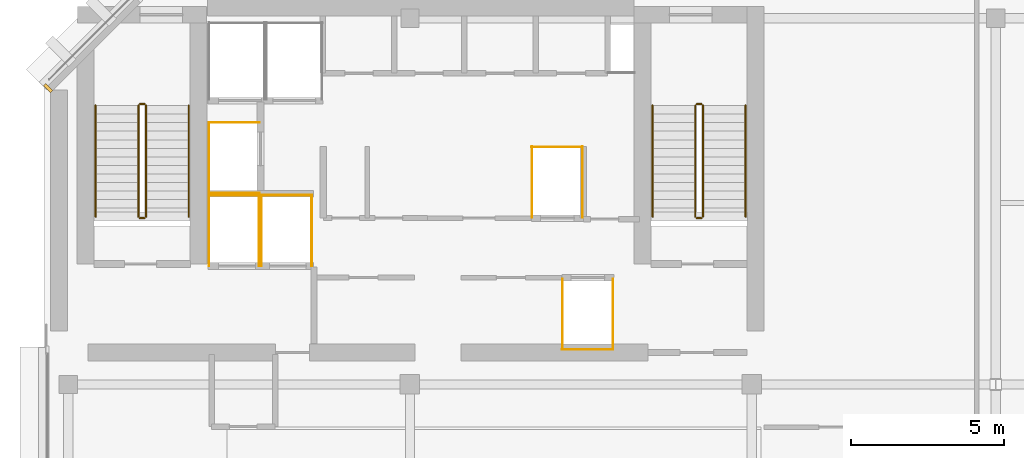
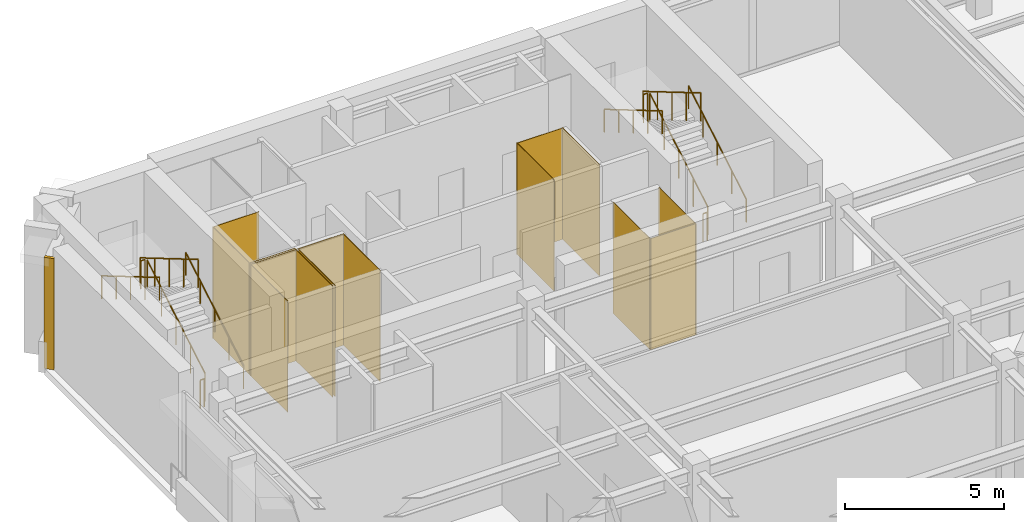
# One storey, part 8 of 9: 16 coverings, 12 railings.
"""IFC4 building model written with IfcOpenShell, lengths in metres."""

from ifc_helpers import new_model, si_unit, direction, frame, origin, origin_2d, place, context, subcontext, project, spatial, polyline, rectangle, circle, outline, extrude, material, layer, layer_set, type_object, element, save


model = new_model("IFC4")

# Units and contexts
model_context = context("Model", 3, precision=1e-05, world=origin(), true_north=direction((0.0, 1.0)))
body_context = subcontext(model_context, "Body", "Model", "MODEL_VIEW")
ifc_project = project(units=[si_unit("LENGTHUNIT", "METRE"), si_unit("AREAUNIT", "SQUARE_METRE"), si_unit("VOLUMEUNIT", "CUBIC_METRE"), si_unit("PLANEANGLEUNIT", "RADIAN"), si_unit("MASSUNIT", "GRAM", prefix="KILO")], contexts=[model_context])

# Site, building, storey
site_placement = place(None, origin())
site = spatial("IfcSite", under=ifc_project, at=site_placement, CompositionType="ELEMENT")
building_placement = place(site_placement, origin())
building = spatial("IfcBuilding", under=site, at=building_placement, Name="Kefirva Bronze Tower", CompositionType="ELEMENT")
storey_placement = place(building_placement, frame((0.0, 0.0, 361.35009765625)))
storey = spatial("IfcBuildingStorey", under=building, at=storey_placement, Name="L88", CompositionType="ELEMENT", Elevation=361.35009765625)

# Coverings
ifc_material_1 = material(Name="Bronze anodised aluminium", Category="aluminium")
ifc_layer = layer(ifc_material_1, 0.02001953125, Name="Bronze anodised aluminium")
ifc_layer_set = layer_set([ifc_layer], Name="Bronze anodised aluminium")
covering_type = type_object("IfcCoveringType", Name="Anodised Bronze Spandrel Cladding 20mm", PredefinedType="CLADDING", material=ifc_layer_set)
covering_1_placement = place(storey_placement, frame((0.137939453125, 42.91162109375, 0.0), z_axis=(0.0, 0.0, 1.0), x_axis=(-0.707106781187, -0.707106781187, 0.0)))
element("IfcCovering", 1, at=covering_1_placement, inside=storey, type_object=covering_type, Name="L88 Facade Joint Closure Panel 6E", PredefinedType="CLADDING", context=body_context, shape_type="SweptSolid", body=[
    extrude(rectangle(XDim=0.10009765625, YDim=0.320068359375, at=origin_2d()), origin(), (0.0, 0.0, 1.0), 4.27001953125),
])
covering_2_placement = place(storey_placement, origin())
element("IfcCovering", 2, at=covering_2_placement, inside=storey, type_object=covering_type, Name="L88 Lift FF1 Hoistway Liner N", PredefinedType="CLADDING", context=body_context, shape_type="SweptSolid", body=[
    extrude(outline(polyline([(5.39990234375, 39.389892578125), (7.080078125, 39.389892578125), (7.080078125, 39.409912109375), (5.39990234375, 39.409912109375), (5.39990234375, 39.389892578125)])), origin(), (0.0, 0.0, 1.0), 4.27001953125),
])
covering_3_placement = place(storey_placement, origin())
element("IfcCovering", 3, at=covering_3_placement, inside=storey, type_object=covering_type, Name="L88 Lift FF1 Hoistway Liner W", PredefinedType="CLADDING", context=body_context, shape_type="SweptSolid", body=[
    extrude(outline(polyline([(5.409912109375, 37.080078125), (5.429931640625, 37.080078125), (5.429931640625, 39.419921875), (5.409912109375, 39.419921875), (5.409912109375, 37.080078125)])), origin(), (0.0, 0.0, 1.0), 4.27001953125),
])
covering_4_placement = place(storey_placement, origin())
element("IfcCovering", 4, at=covering_4_placement, inside=storey, type_object=covering_type, Name="L88 Lift FF1 Hoistway Liner E", PredefinedType="CLADDING", context=body_context, shape_type="SweptSolid", body=[
    extrude(outline(polyline([(7.050048828125, 37.080078125), (7.070068359375, 37.080078125), (7.070068359375, 39.419921875), (7.050048828125, 39.419921875), (7.050048828125, 37.080078125)])), origin(), (0.0, 0.0, 1.0), 4.27001953125),
])
covering_5_placement = place(storey_placement, origin())
element("IfcCovering", 5, at=covering_5_placement, inside=storey, type_object=covering_type, Name="L88 Lift FF2 Hoistway Liner N", PredefinedType="CLADDING", context=body_context, shape_type="SweptSolid", body=[
    extrude(outline(polyline([(7.1201171875, 39.389892578125), (8.800048828125, 39.389892578125), (8.800048828125, 39.409912109375), (7.1201171875, 39.409912109375), (7.1201171875, 39.389892578125)])), origin(), (0.0, 0.0, 1.0), 4.27001953125),
])
covering_6_placement = place(storey_placement, origin())
element("IfcCovering", 6, at=covering_6_placement, inside=storey, type_object=covering_type, Name="L88 Lift FF2 Hoistway Liner W", PredefinedType="CLADDING", context=body_context, shape_type="SweptSolid", body=[
    extrude(outline(polyline([(7.1298828125, 37.080078125), (7.14990234375, 37.080078125), (7.14990234375, 39.419921875), (7.1298828125, 39.419921875), (7.1298828125, 37.080078125)])), origin(), (0.0, 0.0, 1.0), 4.27001953125),
])
covering_7_placement = place(storey_placement, origin())
element("IfcCovering", 7, at=covering_7_placement, inside=storey, type_object=covering_type, Name="L88 Lift FF2 Hoistway Liner E", PredefinedType="CLADDING", context=body_context, shape_type="SweptSolid", body=[
    extrude(outline(polyline([(8.77001953125, 37.080078125), (8.7900390625, 37.080078125), (8.7900390625, 39.419921875), (8.77001953125, 39.419921875), (8.77001953125, 37.080078125)])), origin(), (0.0, 0.0, 1.0), 4.27001953125),
])
covering_8_placement = place(storey_placement, origin())
element("IfcCovering", 8, at=covering_8_placement, inside=storey, type_object=covering_type, Name="L88 Lift HP1 Hoistway Liner S", PredefinedType="CLADDING", context=body_context, shape_type="SweptSolid", body=[
    extrude(outline(polyline([(16.97998046875, 34.340087890625), (18.669921875, 34.340087890625), (18.669921875, 34.360107421875), (16.97998046875, 34.360107421875), (16.97998046875, 34.340087890625)])), origin(), (0.0, 0.0, 1.0), 4.27001953125),
])
covering_9_placement = place(storey_placement, origin())
element("IfcCovering", 9, at=covering_9_placement, inside=storey, type_object=covering_type, Name="L88 Lift HP1 Hoistway Liner W", PredefinedType="CLADDING", context=body_context, shape_type="SweptSolid", body=[
    extrude(outline(polyline([(16.989990234375, 34.330078125), (17.010009765625, 34.330078125), (17.010009765625, 36.669921875), (16.989990234375, 36.669921875), (16.989990234375, 34.330078125)])), origin(), (0.0, 0.0, 1.0), 4.27001953125),
])
covering_10_placement = place(storey_placement, origin())
element("IfcCovering", 10, at=covering_10_placement, inside=storey, type_object=covering_type, Name="L88 Lift HP1 Hoistway Liner E", PredefinedType="CLADDING", context=body_context, shape_type="SweptSolid", body=[
    extrude(outline(polyline([(18.639892578125, 34.330078125), (18.659912109375, 34.330078125), (18.659912109375, 36.669921875), (18.639892578125, 36.669921875), (18.639892578125, 34.330078125)])), origin(), (0.0, 0.0, 1.0), 4.27001953125),
])
covering_11_placement = place(storey_placement, origin())
element("IfcCovering", 11, at=covering_11_placement, inside=storey, type_object=covering_type, Name="L88 Lift HP2 Hoistway Liner N", PredefinedType="CLADDING", context=body_context, shape_type="SweptSolid", body=[
    extrude(outline(polyline([(15.97998046875, 40.969970703125), (17.669921875, 40.969970703125), (17.669921875, 40.989990234375), (15.97998046875, 40.989990234375), (15.97998046875, 40.969970703125)])), origin(), (0.0, 0.0, 1.0), 4.27001953125),
])
covering_12_placement = place(storey_placement, origin())
element("IfcCovering", 12, at=covering_12_placement, inside=storey, type_object=covering_type, Name="L88 Lift HP2 Hoistway Liner W", PredefinedType="CLADDING", context=body_context, shape_type="SweptSolid", body=[
    extrude(outline(polyline([(15.989990234375, 38.659912109375), (16.010009765625, 38.659912109375), (16.010009765625, 41.0), (15.989990234375, 41.0), (15.989990234375, 38.659912109375)])), origin(), (0.0, 0.0, 1.0), 4.27001953125),
])
covering_13_placement = place(storey_placement, origin())
element("IfcCovering", 13, at=covering_13_placement, inside=storey, type_object=covering_type, Name="L88 Lift HP2 Hoistway Liner E", PredefinedType="CLADDING", context=body_context, shape_type="SweptSolid", body=[
    extrude(outline(polyline([(17.639892578125, 38.659912109375), (17.659912109375, 38.659912109375), (17.659912109375, 41.0), (17.639892578125, 41.0), (17.639892578125, 38.659912109375)])), origin(), (0.0, 0.0, 1.0), 4.27001953125),
])
covering_14_placement = place(storey_placement, origin())
element("IfcCovering", 14, at=covering_14_placement, inside=storey, type_object=covering_type, Name="L88 Lift HP3 Hoistway Liner N", PredefinedType="CLADDING", context=body_context, shape_type="SweptSolid", body=[
    extrude(outline(polyline([(5.39990234375, 41.77001953125), (7.080078125, 41.77001953125), (7.080078125, 41.7900390625), (5.39990234375, 41.7900390625), (5.39990234375, 41.77001953125)])), origin(), (0.0, 0.0, 1.0), 4.27001953125),
])
covering_15_placement = place(storey_placement, origin())
element("IfcCovering", 15, at=covering_15_placement, inside=storey, type_object=covering_type, Name="L88 Lift HP3 Hoistway Liner S", PredefinedType="CLADDING", context=body_context, shape_type="SweptSolid", body=[
    extrude(outline(polyline([(5.39990234375, 39.469970703125), (7.080078125, 39.469970703125), (7.080078125, 39.489990234375), (5.39990234375, 39.489990234375), (5.39990234375, 39.469970703125)])), origin(), (0.0, 0.0, 1.0), 4.27001953125),
])
covering_16_placement = place(storey_placement, origin())
element("IfcCovering", 16, at=covering_16_placement, inside=storey, type_object=covering_type, Name="L88 Lift HP3 Hoistway Liner W", PredefinedType="CLADDING", context=body_context, shape_type="SweptSolid", body=[
    extrude(outline(polyline([(5.409912109375, 39.4599609375), (5.429931640625, 39.4599609375), (5.429931640625, 41.800048828125), (5.409912109375, 41.800048828125), (5.409912109375, 39.4599609375)])), origin(), (0.0, 0.0, 1.0), 4.27001953125),
])

# Railings
ifc_material_2 = material(Name="Stainless steel 316", Category="steel")
railing_type_1 = type_object("IfcRailingType", Name="Interior Stair Guardrail 1100mm", PredefinedType="GUARDRAIL", material=ifc_material_2)
railing_1_placement = place(storey_placement, frame((3.35009765625, 38.699951171875, 0.164794921875)))
element("IfcRailing", 17, at=railing_1_placement, inside=storey, type_object=railing_type_1, Name="L88 ST-1 stair guard 1", PredefinedType="GUARDRAIL", context=body_context, shape_type="SweptSolid", body=[
    extrude(circle(Radius=0.02392578125, at=origin_2d()), frame((0.0, 0.0, 1.076171875), z_axis=(0.0, 0.861544779993, 0.507681585313), x_axis=(-1.0, 0.0, 0.0)), (0.0, 0.0, 1.0), 4.22509765625),
    extrude(circle(Radius=0.02099609375, at=origin_2d()), origin(), (0.0, 0.0, 1.0), 1.052001953125),
    extrude(circle(Radius=0.02099609375, at=origin_2d()), frame((0.0, 0.91015625, 0.5361328125)), (0.0, 0.0, 1.0), 1.052001953125),
    extrude(circle(Radius=0.02099609375, at=origin_2d()), frame((0.0, 1.820068359375, 1.072509765625)), (0.0, 0.0, 1.0), 1.052001953125),
    extrude(circle(Radius=0.02099609375, at=origin_2d()), frame((0.0, 2.72998046875, 1.60888671875)), (0.0, 0.0, 1.0), 1.052001953125),
    extrude(circle(Radius=0.02099609375, at=origin_2d()), frame((0.0, 3.64013671875, 2.14501953125)), (0.0, 0.0, 1.0), 1.052001953125),
])
railing_2_placement = place(storey_placement, frame((3.300048828125, 42.389892578125, 2.309814453125)))
element("IfcRailing", 18, at=railing_2_placement, inside=storey, type_object=railing_type_1, Name="L88 ST-1 stair guard 2", PredefinedType="GUARDRAIL", context=body_context, shape_type="SweptSolid", body=[
    extrude(circle(Radius=0.02392578125, at=origin_2d()), frame((0.0, 0.0, 1.076171875), z_axis=(-1.0, 0.0, 0.0), x_axis=(0.0, -1.0, 0.0)), (0.0, 0.0, 1.0), 0.150146484375),
    extrude(circle(Radius=0.02099609375, at=origin_2d()), origin(), (0.0, 0.0, 1.0), 1.052001953125),
    extrude(circle(Radius=0.02099609375, at=origin_2d()), frame((-0.150146484375, 0.0, 0.0)), (0.0, 0.0, 1.0), 1.052001953125),
])
railing_3_placement = place(storey_placement, frame((3.10009765625, 42.340087890625, 2.474853515625)))
element("IfcRailing", 19, at=railing_3_placement, inside=storey, type_object=railing_type_1, Name="L88 ST-1 stair guard 3", PredefinedType="GUARDRAIL", context=body_context, shape_type="SweptSolid", body=[
    extrude(circle(Radius=0.02392578125, at=origin_2d()), frame((0.0, 0.0, 1.076171875), z_axis=(0.0, -0.861544779993, 0.507681585313), x_axis=(1.0, 0.0, 0.0)), (0.0, 0.0, 1.0), 4.22509765625),
    extrude(circle(Radius=0.02099609375, at=origin_2d()), origin(), (0.0, 0.0, 1.0), 1.052001953125),
    extrude(circle(Radius=0.02099609375, at=origin_2d()), frame((0.0, -0.91015625, 0.5361328125)), (0.0, 0.0, 1.0), 1.052001953125),
    extrude(circle(Radius=0.02099609375, at=origin_2d()), frame((0.0, -1.820068359375, 1.072509765625)), (0.0, 0.0, 1.0), 1.052001953125),
    extrude(circle(Radius=0.02099609375, at=origin_2d()), frame((0.0, -2.72998046875, 1.60888671875)), (0.0, 0.0, 1.0), 1.052001953125),
    extrude(circle(Radius=0.02099609375, at=origin_2d()), frame((0.0, -3.64013671875, 2.14501953125)), (0.0, 0.0, 1.0), 1.052001953125),
])
railing_4_placement = place(storey_placement, frame((3.300048828125, 38.64990234375, 0.0)))
element("IfcRailing", 20, at=railing_4_placement, inside=storey, type_object=railing_type_1, Name="L88 ST-1 stair guard 4", PredefinedType="GUARDRAIL", context=body_context, shape_type="SweptSolid", body=[
    extrude(circle(Radius=0.02392578125, at=origin_2d()), frame((0.0, 0.0, 1.076171875), z_axis=(-1.0, 0.0, 0.0), x_axis=(0.0, -1.0, 0.0)), (0.0, 0.0, 1.0), 0.150146484375),
    extrude(circle(Radius=0.02099609375, at=origin_2d()), origin(), (0.0, 0.0, 1.0), 1.052001953125),
    extrude(circle(Radius=0.02099609375, at=origin_2d()), frame((-0.150146484375, 0.0, 0.0)), (0.0, 0.0, 1.0), 1.052001953125),
])
railing_5_placement = place(storey_placement, frame((21.60009765625, 38.699951171875, 0.164794921875)))
element("IfcRailing", 21, at=railing_5_placement, inside=storey, type_object=railing_type_1, Name="L88 ST-2 stair guard 1", PredefinedType="GUARDRAIL", context=body_context, shape_type="SweptSolid", body=[
    extrude(circle(Radius=0.02392578125, at=origin_2d()), frame((0.0, 0.0, 1.076171875), z_axis=(0.0, 0.861544779993, 0.507681585313), x_axis=(-1.0, 0.0, 0.0)), (0.0, 0.0, 1.0), 4.22509765625),
    extrude(circle(Radius=0.02099609375, at=origin_2d()), origin(), (0.0, 0.0, 1.0), 1.052001953125),
    extrude(circle(Radius=0.02099609375, at=origin_2d()), frame((0.0, 0.91015625, 0.5361328125)), (0.0, 0.0, 1.0), 1.052001953125),
    extrude(circle(Radius=0.02099609375, at=origin_2d()), frame((0.0, 1.820068359375, 1.072509765625)), (0.0, 0.0, 1.0), 1.052001953125),
    extrude(circle(Radius=0.02099609375, at=origin_2d()), frame((0.0, 2.72998046875, 1.60888671875)), (0.0, 0.0, 1.0), 1.052001953125),
    extrude(circle(Radius=0.02099609375, at=origin_2d()), frame((0.0, 3.64013671875, 2.14501953125)), (0.0, 0.0, 1.0), 1.052001953125),
])
railing_6_placement = place(storey_placement, frame((21.550048828125, 42.389892578125, 2.309814453125)))
element("IfcRailing", 22, at=railing_6_placement, inside=storey, type_object=railing_type_1, Name="L88 ST-2 stair guard 2", PredefinedType="GUARDRAIL", context=body_context, shape_type="SweptSolid", body=[
    extrude(circle(Radius=0.02392578125, at=origin_2d()), frame((0.0, 0.0, 1.076171875), z_axis=(-1.0, 0.0, 0.0), x_axis=(0.0, -1.0, 0.0)), (0.0, 0.0, 1.0), 0.150146484375),
    extrude(circle(Radius=0.02099609375, at=origin_2d()), origin(), (0.0, 0.0, 1.0), 1.052001953125),
    extrude(circle(Radius=0.02099609375, at=origin_2d()), frame((-0.150146484375, 0.0, 0.0)), (0.0, 0.0, 1.0), 1.052001953125),
])
railing_7_placement = place(storey_placement, frame((21.35009765625, 42.340087890625, 2.474853515625)))
element("IfcRailing", 23, at=railing_7_placement, inside=storey, type_object=railing_type_1, Name="L88 ST-2 stair guard 3", PredefinedType="GUARDRAIL", context=body_context, shape_type="SweptSolid", body=[
    extrude(circle(Radius=0.02392578125, at=origin_2d()), frame((0.0, 0.0, 1.076171875), z_axis=(0.0, -0.861544779993, 0.507681585313), x_axis=(1.0, 0.0, 0.0)), (0.0, 0.0, 1.0), 4.22509765625),
    extrude(circle(Radius=0.02099609375, at=origin_2d()), origin(), (0.0, 0.0, 1.0), 1.052001953125),
    extrude(circle(Radius=0.02099609375, at=origin_2d()), frame((0.0, -0.91015625, 0.5361328125)), (0.0, 0.0, 1.0), 1.052001953125),
    extrude(circle(Radius=0.02099609375, at=origin_2d()), frame((0.0, -1.820068359375, 1.072509765625)), (0.0, 0.0, 1.0), 1.052001953125),
    extrude(circle(Radius=0.02099609375, at=origin_2d()), frame((0.0, -2.72998046875, 1.60888671875)), (0.0, 0.0, 1.0), 1.052001953125),
    extrude(circle(Radius=0.02099609375, at=origin_2d()), frame((0.0, -3.64013671875, 2.14501953125)), (0.0, 0.0, 1.0), 1.052001953125),
])
railing_8_placement = place(storey_placement, frame((21.550048828125, 38.64990234375, 0.0)))
element("IfcRailing", 24, at=railing_8_placement, inside=storey, type_object=railing_type_1, Name="L88 ST-2 stair guard 4", PredefinedType="GUARDRAIL", context=body_context, shape_type="SweptSolid", body=[
    extrude(circle(Radius=0.02392578125, at=origin_2d()), frame((0.0, 0.0, 1.076171875), z_axis=(-1.0, 0.0, 0.0), x_axis=(0.0, -1.0, 0.0)), (0.0, 0.0, 1.0), 0.150146484375),
    extrude(circle(Radius=0.02099609375, at=origin_2d()), origin(), (0.0, 0.0, 1.0), 1.052001953125),
    extrude(circle(Radius=0.02099609375, at=origin_2d()), frame((-0.150146484375, 0.0, 0.0)), (0.0, 0.0, 1.0), 1.052001953125),
])
railing_type_2 = type_object("IfcRailingType", Name="Stair Pitch Handrail 900mm", PredefinedType="HANDRAIL", material=ifc_material_2)
railing_9_placement = place(storey_placement, frame((4.75, 38.699951171875, 0.164794921875)))
element("IfcRailing", 25, at=railing_9_placement, inside=storey, type_object=railing_type_2, Name="L88 ST-1 stair handrail 1", PredefinedType="HANDRAIL", context=body_context, shape_type="SweptSolid", body=[
    extrude(circle(Radius=0.02392578125, at=origin_2d()), frame((0.0, 0.0, 0.8759765625), z_axis=(0.0, 0.861544779993, 0.507681585313), x_axis=(-1.0, 0.0, 0.0)), (0.0, 0.0, 1.0), 4.22509765625),
    extrude(circle(Radius=0.02099609375, at=origin_2d()), origin(), (0.0, 0.0, 1.0), 0.851806640625),
    extrude(circle(Radius=0.02099609375, at=origin_2d()), frame((0.0, 0.91015625, 0.5361328125)), (0.0, 0.0, 1.0), 0.851806640625),
    extrude(circle(Radius=0.02099609375, at=origin_2d()), frame((0.0, 1.820068359375, 1.072509765625)), (0.0, 0.0, 1.0), 0.851806640625),
    extrude(circle(Radius=0.02099609375, at=origin_2d()), frame((0.0, 2.72998046875, 1.60888671875)), (0.0, 0.0, 1.0), 0.851806640625),
    extrude(circle(Radius=0.02099609375, at=origin_2d()), frame((0.0, 3.64013671875, 2.14501953125)), (0.0, 0.0, 1.0), 0.851806640625),
])
railing_10_placement = place(storey_placement, frame((1.699951171875, 42.340087890625, 2.474853515625)))
element("IfcRailing", 26, at=railing_10_placement, inside=storey, type_object=railing_type_2, Name="L88 ST-1 stair handrail 2", PredefinedType="HANDRAIL", context=body_context, shape_type="SweptSolid", body=[
    extrude(circle(Radius=0.02392578125, at=origin_2d()), frame((0.0, 0.0, 0.8759765625), z_axis=(0.0, -0.861544779993, 0.507681585313), x_axis=(1.0, 0.0, 0.0)), (0.0, 0.0, 1.0), 4.22509765625),
    extrude(circle(Radius=0.02099609375, at=origin_2d()), origin(), (0.0, 0.0, 1.0), 0.851806640625),
    extrude(circle(Radius=0.02099609375, at=origin_2d()), frame((0.0, -0.91015625, 0.5361328125)), (0.0, 0.0, 1.0), 0.851806640625),
    extrude(circle(Radius=0.02099609375, at=origin_2d()), frame((0.0, -1.820068359375, 1.072509765625)), (0.0, 0.0, 1.0), 0.851806640625),
    extrude(circle(Radius=0.02099609375, at=origin_2d()), frame((0.0, -2.72998046875, 1.60888671875)), (0.0, 0.0, 1.0), 0.851806640625),
    extrude(circle(Radius=0.02099609375, at=origin_2d()), frame((0.0, -3.64013671875, 2.14501953125)), (0.0, 0.0, 1.0), 0.851806640625),
])
railing_11_placement = place(storey_placement, frame((23.0, 38.699951171875, 0.164794921875)))
element("IfcRailing", 27, at=railing_11_placement, inside=storey, type_object=railing_type_2, Name="L88 ST-2 stair handrail 1", PredefinedType="HANDRAIL", context=body_context, shape_type="SweptSolid", body=[
    extrude(circle(Radius=0.02392578125, at=origin_2d()), frame((0.0, 0.0, 0.8759765625), z_axis=(0.0, 0.861544779993, 0.507681585313), x_axis=(-1.0, 0.0, 0.0)), (0.0, 0.0, 1.0), 4.22509765625),
    extrude(circle(Radius=0.02099609375, at=origin_2d()), origin(), (0.0, 0.0, 1.0), 0.851806640625),
    extrude(circle(Radius=0.02099609375, at=origin_2d()), frame((0.0, 0.91015625, 0.5361328125)), (0.0, 0.0, 1.0), 0.851806640625),
    extrude(circle(Radius=0.02099609375, at=origin_2d()), frame((0.0, 1.820068359375, 1.072509765625)), (0.0, 0.0, 1.0), 0.851806640625),
    extrude(circle(Radius=0.02099609375, at=origin_2d()), frame((0.0, 2.72998046875, 1.60888671875)), (0.0, 0.0, 1.0), 0.851806640625),
    extrude(circle(Radius=0.02099609375, at=origin_2d()), frame((0.0, 3.64013671875, 2.14501953125)), (0.0, 0.0, 1.0), 0.851806640625),
])
railing_12_placement = place(storey_placement, frame((19.949951171875, 42.340087890625, 2.474853515625)))
element("IfcRailing", 28, at=railing_12_placement, inside=storey, type_object=railing_type_2, Name="L88 ST-2 stair handrail 2", PredefinedType="HANDRAIL", context=body_context, shape_type="SweptSolid", body=[
    extrude(circle(Radius=0.02392578125, at=origin_2d()), frame((0.0, 0.0, 0.8759765625), z_axis=(0.0, -0.861544779993, 0.507681585313), x_axis=(1.0, 0.0, 0.0)), (0.0, 0.0, 1.0), 4.22509765625),
    extrude(circle(Radius=0.02099609375, at=origin_2d()), origin(), (0.0, 0.0, 1.0), 0.851806640625),
    extrude(circle(Radius=0.02099609375, at=origin_2d()), frame((0.0, -0.91015625, 0.5361328125)), (0.0, 0.0, 1.0), 0.851806640625),
    extrude(circle(Radius=0.02099609375, at=origin_2d()), frame((0.0, -1.820068359375, 1.072509765625)), (0.0, 0.0, 1.0), 0.851806640625),
    extrude(circle(Radius=0.02099609375, at=origin_2d()), frame((0.0, -2.72998046875, 1.60888671875)), (0.0, 0.0, 1.0), 0.851806640625),
    extrude(circle(Radius=0.02099609375, at=origin_2d()), frame((0.0, -3.64013671875, 2.14501953125)), (0.0, 0.0, 1.0), 0.851806640625),
])

save(model, "model.ifc")
